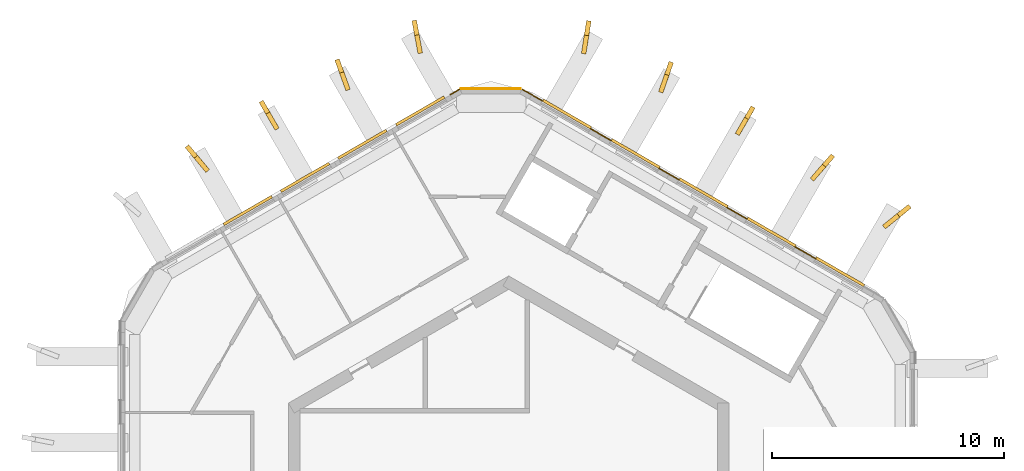
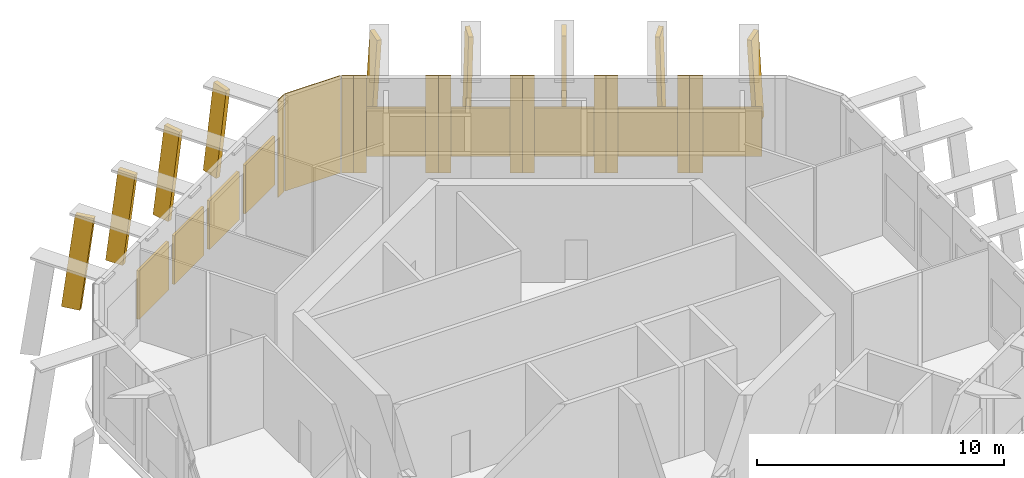
# One storey, part 8 of 8: 18 shading devices, 12 coverings.
"""IFC4 building model written with IfcOpenShell, lengths in metres."""

from ifc_helpers import new_model, si_unit, direction, frame, origin, origin_2d, place, context, subcontext, project, spatial, polyline, rectangle, outline, extrude, material, layer, layer_set, type_object, element, save


model = new_model("IFC4")

# Units and contexts
model_context = context("Model", 3, precision=1e-05, world=origin(), true_north=direction((0.0, 1.0)))
body_context = subcontext(model_context, "Body", "Model", "MODEL_VIEW")
ifc_project = project(units=[si_unit("LENGTHUNIT", "METRE"), si_unit("AREAUNIT", "SQUARE_METRE"), si_unit("VOLUMEUNIT", "CUBIC_METRE"), si_unit("PLANEANGLEUNIT", "RADIAN"), si_unit("MASSUNIT", "GRAM", prefix="KILO")], contexts=[model_context])

# Site, building, storey
site_placement = place(None, origin())
site = spatial("IfcSite", under=ifc_project, at=site_placement, CompositionType="ELEMENT")
building_placement = place(site_placement, origin())
building = spatial("IfcBuilding", under=site, at=building_placement, Name="Ayvan Gate Tower", CompositionType="ELEMENT")
storey_placement = place(building_placement, frame((0.0, 0.0, 262.89990234375)))
storey = spatial("IfcBuildingStorey", under=building, at=storey_placement, Name="L70", CompositionType="ELEMENT", Elevation=262.89990234375)

# Shading devices
ifc_material_1 = material(Name="Bronze anodised aluminium", Category="aluminium")
ifc_layer_1 = layer(ifc_material_1, 0.199951171875)
ifc_layer_set_1 = layer_set([ifc_layer_1], Name="Bronze anodised aluminium")
shading_device_type_1 = type_object("IfcShadingDeviceType", Name="Crown frame rib 800 x 200", PredefinedType="USERDEFINED", material=ifc_layer_set_1)
shading_device_1_placement = place(storey_placement, frame((-3.833740234375, 21.22314453125, 0.0), z_axis=(0.983263743592, 0.182187602397, 0.000296766504), x_axis=(-0.18218761042, 0.98326378689, 0.0)))
element("IfcShadingDevice", 1, at=shading_device_1_placement, inside=storey, type_object=shading_device_type_1, Name="CROWN FRAME rib FR08.3.1", ObjectType="FIN", PredefinedType="USERDEFINED", context=body_context, shape_type="SweptSolid", body=[
    extrude(outline(polyline([(0.0, 0.0), (0.8000102355421451, 0.0), (0.15867030266795923, 4.680175987342391), (-0.6413399328741859, 4.680175987342391), (0.0, 0.0)])), origin(), (0.0, 0.0, -1.0), 0.199951171875),
])
shading_device_2_placement = place(storey_placement, frame((-7.040283203125, 19.588134765625, 0.0), z_axis=(0.939445412769, 0.342698456566, 0.000290335002), x_axis=(-0.342698471006, 0.939445452365, -1.5179e-08)))
element("IfcShadingDevice", 2, at=shading_device_2_placement, inside=storey, type_object=shading_device_type_1, Name="CROWN FRAME rib FR08.3.2", ObjectType="FIN", PredefinedType="USERDEFINED", context=body_context, shape_type="SweptSolid", body=[
    extrude(outline(polyline([(0.0, 0.0), (0.8001471998957518, 1.3552527156068805e-20), (0.20216045853739603, 4.680175981575004), (-0.5977573845584617, 4.680175957287137), (0.0, 0.0)])), origin(), (0.0, 0.0, -1.0), 0.199951171875),
])
shading_device_3_placement = place(storey_placement, frame((-10.194580078125, 17.857421875, 0.0), z_axis=(0.865961933664, 0.500109798899, 0.000344223484), x_axis=(-0.500109828528, 0.865961984968, 0.0)))
element("IfcShadingDevice", 3, at=shading_device_3_placement, inside=storey, type_object=shading_device_type_1, Name="CROWN FRAME rib FR08.3.3", ObjectType="FIN", PredefinedType="USERDEFINED", context=body_context, shape_type="SweptSolid", body=[
    extrude(outline(polyline([(0.0, 0.0), (0.8001172173575528, -4.0657581468206416e-20), (0.2168887459284857, 4.680176058526587), (-0.5832284714290671, 4.680176058526587), (0.0, 0.0)])), origin(), (0.0, 0.0, -1.0), 0.199951171875),
])
shading_device_4_placement = place(storey_placement, frame((-13.29052734375, 16.01953125, 0.0), z_axis=(0.766542767691, 0.642193174604, 0.00033435436), x_axis=(-0.64219321051, 0.766542810529, 3.9101e-08)))
element("IfcShadingDevice", 4, at=shading_device_4_placement, inside=storey, type_object=shading_device_type_1, Name="CROWN FRAME rib FR08.3.4", ObjectType="FIN", PredefinedType="USERDEFINED", context=body_context, shape_type="SweptSolid", body=[
    extrude(outline(polyline([(0.0, 0.0), (0.800139709026928, 0.0), (0.20228198658542126, 4.680176034945667), (-0.5977009369897219, 4.68017609751203), (0.0, 0.0)])), origin(), (0.0, 0.0, -1.0), 0.199951171875),
])
shading_device_5_placement = place(storey_placement, frame((16.7412109375, 13.39892578125, 0.0), z_axis=(0.628372593732, -0.777912453338, 0.000313668663), x_axis=(0.777912491607, 0.628372624644, 0.0)))
element("IfcShadingDevice", 5, at=shading_device_5_placement, inside=storey, type_object=shading_device_type_1, Name="CROWN FRAME rib FR08.2.1", ObjectType="FIN", PredefinedType="USERDEFINED", context=body_context, shape_type="SweptSolid", body=[
    extrude(outline(polyline([(0.0, 0.0), (0.7999800232538845, -2.710505431213761e-20), (0.16563836592372227, 4.680176011486655), (-0.6343416573301622, 4.680176011486655), (0.0, 0.0)])), origin(), (0.0, 0.0, -1.0), 0.199951171875),
])
shading_device_6_placement = place(storey_placement, frame((13.5361328125, 15.497802734375, 0.0), z_axis=(0.756297841706, -0.654227384554, 0.000322382299), x_axis=(0.654227418543, 0.756297881014, 3.2175e-08)))
element("IfcShadingDevice", 6, at=shading_device_6_placement, inside=storey, type_object=shading_device_type_1, Name="CROWN FRAME rib FR08.2.2", ObjectType="FIN", PredefinedType="USERDEFINED", context=body_context, shape_type="SweptSolid", body=[
    extrude(outline(polyline([(0.0, 0.0), (0.8001772540015579, -2.710505431213761e-20), (0.21594619847860716, 4.680176017508014), (-0.5840464124855937, 4.6801760689941), (0.0, 0.0)])), origin(), (0.0, 0.0, -1.0), 0.199951171875),
])
shading_device_7_placement = place(storey_placement, frame((10.22705078125, 17.513916015625, 0.0), z_axis=(0.866028009191, -0.499995381627, 0.000325036328), x_axis=(0.499995408027, 0.866028054945, 4.2952e-08)))
element("IfcShadingDevice", 7, at=shading_device_7_placement, inside=storey, type_object=shading_device_type_1, Name="CROWN FRAME rib FR08.2.3", ObjectType="FIN", PredefinedType="USERDEFINED", context=body_context, shape_type="SweptSolid", body=[
    extrude(outline(polyline([(0.0, 0.0), (0.7999951411821988, -1.3552527156068805e-20), (0.2331059427707429, 4.680176018464628), (-0.5670112676028688, 4.680176087193157), (0.0, 0.0)])), origin(), (0.0, 0.0, -1.0), 0.199951171875),
])
shading_device_8_placement = place(storey_placement, frame((6.84228515625, 19.406005859375, 0.0), z_axis=(0.944720877125, -0.327875511134, 0.000336930059), x_axis=(0.327875529729, 0.944720930754, 4.8567e-08)))
element("IfcShadingDevice", 8, at=shading_device_8_placement, inside=storey, type_object=shading_device_type_1, Name="CROWN FRAME rib FR08.2.4", ObjectType="FIN", PredefinedType="USERDEFINED", context=body_context, shape_type="SweptSolid", body=[
    extrude(outline(polyline([(0.0, 0.0), (0.8000474415389873, 0.0), (0.21601409214757342, 4.680176036410101), (-0.5841133971281643, 4.680176114125141), (0.0, 0.0)])), origin(), (0.0, 0.0, -1.0), 0.199951171875),
])
shading_device_9_placement = place(storey_placement, frame((3.4306640625, 21.166748046875, 0.0), z_axis=(0.987861687524, -0.155335680862, 0.000335520855), x_axis=(0.155335689605, 0.987861743127, 0.0)))
element("IfcShadingDevice", 9, at=shading_device_9_placement, inside=storey, type_object=shading_device_type_1, Name="CROWN FRAME rib FR08.2.5", ObjectType="FIN", PredefinedType="USERDEFINED", context=body_context, shape_type="SweptSolid", body=[
    extrude(outline(polyline([(0.0, 0.0), (0.7999937325470513, 6.776263578034403e-21), (0.1655843415306296, 4.680176044683648), (-0.6344093910164217, 4.680176044683648), (0.0, 0.0)])), origin(), (0.0, 0.0, -1.0), 0.199951171875),
])

# Coverings
ifc_material_2 = material(Name="Pale metal cladding")
ifc_layer_2 = layer(ifc_material_2, 0.0400390625)
ifc_layer_set_2 = layer_set([ifc_layer_2], Name="Pale metal cladding")
covering_type = type_object("IfcCoveringType", Name="Drum cladding panel 40", PredefinedType="CLADDING", material=ifc_layer_set_2)
covering_1_placement = place(storey_placement, frame((13.0068359375, 11.848388671875, 0.0), z_axis=(0.0, 0.0, 1.0), x_axis=(-0.866025403784, 0.5, 0.0)))
element("IfcCovering", 10, at=covering_1_placement, inside=storey, type_object=covering_type, Name="Drum cladding panel L70.F10.0.1", PredefinedType="CLADDING", context=body_context, shape_type="SweptSolid", body=[
    extrude(rectangle(XDim=0.527099609375, YDim=0.0400390625, at=origin_2d()), origin(), (0.0, 0.0, 1.0), 4.800048828125),
])
for number, where, z_axis, x_axis, name in (
    (11, (12.565673828125, 12.103271484375, 0.0), (0.0, 0.0, 1.0), (-0.866025403784, 0.5, 0.0), "Drum cladding panel L70.F10.1.0"),
    (12, (10.06103515625, 13.54931640625, 0.0), (0.0, 0.0, 1.0), (-0.866025403784, 0.5, 0.0), "Drum cladding panel L70.F10.1.1"),
):
    element("IfcCovering", number, at=place(storey_placement, frame(where, z_axis=z_axis, x_axis=x_axis)), inside=storey, type_object=covering_type, Name=name, PredefinedType="CLADDING", context=body_context, shape_type="SweptSolid", body=[
        extrude(rectangle(XDim=0.491943359375, YDim=0.0400390625, at=origin_2d()), origin(), (0.0, 0.0, 1.0), 4.800048828125),
    ])
for number, where, z_axis, x_axis, name in (
    (13, (9.634765625, 13.79541015625, 0.0), (0.0, 0.0, 1.0), (-0.866025403784, 0.5, 0.0), "Drum cladding panel L70.F10.2.0"),
    (14, (7.129638671875, 15.24169921875, 0.0), (0.0, 0.0, 1.0), (-0.866025403784, 0.5, 0.0), "Drum cladding panel L70.F10.2.1"),
):
    element("IfcCovering", number, at=place(storey_placement, frame(where, z_axis=z_axis, x_axis=x_axis)), inside=storey, type_object=covering_type, Name=name, PredefinedType="CLADDING", context=body_context, shape_type="SweptSolid", body=[
        extrude(rectangle(XDim=0.492431640625, YDim=0.0400390625, at=origin_2d()), origin(), (0.0, 0.0, 1.0), 4.800048828125),
    ])
for number, where, z_axis, x_axis, name in (
    (15, (6.703369140625, 15.48779296875, 0.0), (0.0, 0.0, 1.0), (-0.866025403784, 0.5, 0.0), "Drum cladding panel L70.F10.3.0"),
    (16, (4.198974609375, 16.933837890625, 0.0), (0.0, 0.0, 1.0), (-0.866025403784, 0.5, 0.0), "Drum cladding panel L70.F10.3.1"),
):
    element("IfcCovering", number, at=place(storey_placement, frame(where, z_axis=z_axis, x_axis=x_axis)), inside=storey, type_object=covering_type, Name=name, PredefinedType="CLADDING", context=body_context, shape_type="SweptSolid", body=[
        extrude(rectangle(XDim=0.491943359375, YDim=0.0400390625, at=origin_2d()), origin(), (0.0, 0.0, 1.0), 4.800048828125),
    ])
for number, where, z_axis, x_axis, name in (
    (17, (3.757568359375, 17.1884765625, 0.0), (0.0, 0.0, 1.0), (-0.866025403784, 0.5, 0.0), "Drum cladding panel L70.F10.4.0"),
    (18, (1.222900390625, 18.65185546875, 0.0), (0.0, 0.0, 1.0), (-0.866025403784, 0.5, 0.0), "Drum cladding panel L70.F10.4.1"),
):
    element("IfcCovering", number, at=place(storey_placement, frame(where, z_axis=z_axis, x_axis=x_axis)), inside=storey, type_object=covering_type, Name=name, PredefinedType="CLADDING", context=body_context, shape_type="SweptSolid", body=[
        extrude(rectangle(XDim=0.527099609375, YDim=0.0400390625, at=origin_2d()), origin(), (0.0, 0.0, 1.0), 4.800048828125),
    ])
covering_2_placement = place(storey_placement, frame((0.788818359375, 18.90234375, 0.0), z_axis=(0.0, 0.0, 1.0), x_axis=(-0.866025403784, 0.5, 0.0)))
element("IfcCovering", 19, at=covering_2_placement, inside=storey, type_object=covering_type, Name="Drum cladding panel L70.C11.0", PredefinedType="CLADDING", context=body_context, shape_type="SweptSolid", body=[
    extrude(rectangle(XDim=0.47509765625, YDim=0.0400390625, at=origin_2d()), origin(), (0.0, 0.0, 1.0), 4.800048828125),
])
covering_3_placement = place(storey_placement, frame((-0.76806640625, 19.037353515625, 0.0), z_axis=(0.0, 0.0, 1.0), x_axis=(-1.0, 0.0, 0.0)))
element("IfcCovering", 20, at=covering_3_placement, inside=storey, type_object=covering_type, Name="Drum cladding panel L70.C11.1", PredefinedType="CLADDING", context=body_context, shape_type="SweptSolid", body=[
    extrude(rectangle(XDim=2.58251953125, YDim=0.0400390625, at=origin_2d()), origin(), (0.0, 0.0, 1.0), 4.800048828125),
])
covering_4_placement = place(storey_placement, frame((-2.324951171875, 18.90234375, 0.0), z_axis=(0.0, 0.0, 1.0), x_axis=(-0.866025403784, -0.5, 0.0)))
element("IfcCovering", 21, at=covering_4_placement, inside=storey, type_object=covering_type, Name="Drum cladding panel L70.C11.2", PredefinedType="CLADDING", context=body_context, shape_type="SweptSolid", body=[
    extrude(rectangle(XDim=0.47509765625, YDim=0.0400390625, at=origin_2d()), origin(), (0.0, 0.0, 1.0), 4.800048828125),
])

# Shading devices
ifc_material_3 = material(Name="Anodised aluminium louvre", Category="aluminium")
ifc_layer_3 = layer(ifc_material_3, 0.1201171875)
ifc_layer_set_3 = layer_set([ifc_layer_3], Name="Anodised aluminium louvre")
shading_device_type_2 = type_object("IfcShadingDeviceType", Name="Plant louvre 2400 x 2400", PredefinedType="USERDEFINED", material=ifc_layer_set_3)
for number, where, z_axis, x_axis, name in (
    (22, (-3.81591796875, 18.087890625, 0.800048828125), (0.0, 0.0, 1.0), (-0.866025403784, -0.5, 0.0), "Plant louvre L70.0.0"),
    (23, (-6.316162109375, 16.644287109375, 0.800048828125), (0.0, 0.0, 1.0), (-0.866025403784, -0.5, 0.0), "Plant louvre L70.0.1"),
    (24, (-8.7861328125, 15.21826171875, 0.800048828125), (0.0, 0.0, 1.0), (-0.866025403784, -0.5, 0.0), "Plant louvre L70.0.2"),
    (25, (-11.25634765625, 13.7919921875, 0.800048828125), (0.0, 0.0, 1.0), (-0.866025403784, -0.5, 0.0), "Plant louvre L70.0.3"),
    (26, (14.294189453125, 11.1513671875, 0.800048828125), (0.0, 0.0, 1.0), (-0.866025403784, 0.5, 0.0), "Plant louvre L70.10.0"),
    (27, (11.333251953125, 12.86083984375, 0.800048828125), (0.0, 0.0, 1.0), (-0.866025403784, 0.5, 0.0), "Plant louvre L70.10.1"),
    (28, (8.40234375, 14.55322265625, 0.800048828125), (0.0, 0.0, 1.0), (-0.866025403784, 0.5, 0.0), "Plant louvre L70.10.2"),
    (29, (5.47119140625, 16.245361328125, 0.800048828125), (0.0, 0.0, 1.0), (-0.866025403784, 0.5, 0.0), "Plant louvre L70.10.3"),
    (30, (2.51025390625, 17.954833984375, 0.800048828125), (0.0, 0.0, 1.0), (-0.866025403784, 0.5, 0.0), "Plant louvre L70.10.4"),
):
    element("IfcShadingDevice", number, at=place(storey_placement, frame(where, z_axis=z_axis, x_axis=x_axis)), inside=storey, type_object=shading_device_type_2, Name=name, ObjectType="LOUVRE", PredefinedType="USERDEFINED", context=body_context, shape_type="SweptSolid", body=[
        extrude(rectangle(XDim=2.39990234375, YDim=0.1201171875, at=origin_2d()), origin(), (0.0, 0.0, 1.0), 2.39990234375),
    ])

save(model, "model.ifc")
